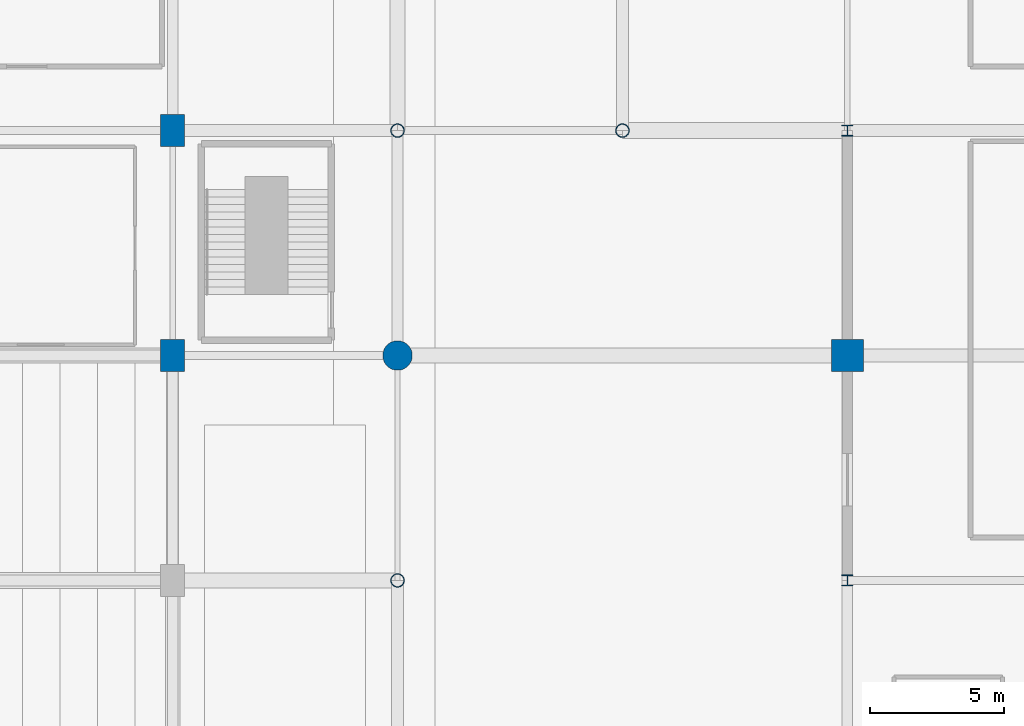
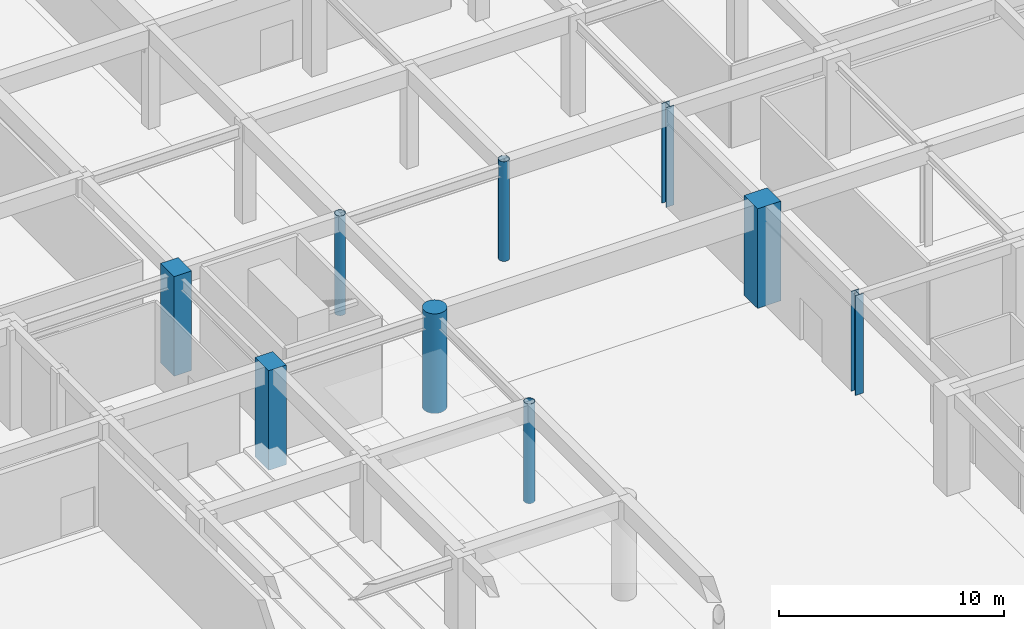
# One storey, part 4 of 62: 9 columns.
"""IFC4 building model written with IfcOpenShell, lengths in metres."""

from ifc_helpers import new_model, si_unit, direction, frame, origin, origin_2d, place, context, subcontext, project, spatial, rectangle, circle, hollow_circle, i_section, extrude, material, material_profile, profile_set, type_object, element, save


model = new_model("IFC4")

# Units and contexts
model_context = context("Model", 3, precision=1e-05, world=origin(), true_north=direction((0.0, 1.0)))
body_context = subcontext(model_context, "Body", "Model", "MODEL_VIEW")
ifc_project = project(units=[si_unit("LENGTHUNIT", "METRE"), si_unit("AREAUNIT", "SQUARE_METRE"), si_unit("VOLUMEUNIT", "CUBIC_METRE"), si_unit("PLANEANGLEUNIT", "RADIAN"), si_unit("MASSUNIT", "GRAM", prefix="KILO")], contexts=[model_context])

# Site, building, storey
site_placement = place(None, origin())
site = spatial("IfcSite", under=ifc_project, at=site_placement, CompositionType="ELEMENT")
building_placement = place(site_placement, origin())
building = spatial("IfcBuilding", under=site, at=building_placement, Name="Xuanlan Plaza Opera House", CompositionType="ELEMENT")
storey_placement = place(building_placement, origin())
storey = spatial("IfcBuildingStorey", under=building, at=storey_placement, Name="L00", CompositionType="ELEMENT", Elevation=0.0)

# Columns
ifc_material_1 = material(Name="Concrete C60", Category="concrete")
ifc_material_profile_1 = material_profile(ifc_material_1, rectangle(XDim=1.199951171875, YDim=1.199951171875, at=origin_2d()), Name="RC-COL 1200x1200")
ifc_profile_set_1 = profile_set([ifc_material_profile_1], Name="Concrete C60")
column_type_1 = type_object("IfcColumnType", Name="STR-COL-C-02", PredefinedType="COLUMN", material=ifc_profile_set_1)
column_1_placement = place(storey_placement, frame((126.0, 75.60009765625, 0.0), z_axis=(0.0, 0.0, 1.0), x_axis=(1.0, 0.0, 0.0)))
element("IfcColumn", 1, at=column_1_placement, inside=storey, type_object=column_type_1, Name="Column L00 16-J", PredefinedType="COLUMN", context=body_context, shape_type="SweptSolid", body=[
    extrude(rectangle(XDim=1.199951171875, YDim=1.199951171875, at=origin_2d()), origin(), (0.0, 0.0, 1.0), 5.39990234375),
])
ifc_material_2 = material(Name="Concrete C50", Category="concrete")
ifc_material_profile_2 = material_profile(ifc_material_2, rectangle(XDim=0.89990234375, YDim=1.199951171875, at=origin_2d()), Name="RC-COL 900x1200")
ifc_profile_set_2 = profile_set([ifc_material_profile_2], Name="Concrete C50")
column_type_2 = type_object("IfcColumnType", Name="STR-COL-C-10", PredefinedType="COLUMN", material=ifc_profile_set_2)
for number, where, z_axis, x_axis, name in (
    (2, (100.800048828125, 75.60009765625, 0.0), (0.0, 0.0, 1.0), (1.0, 0.0, 0.0), "Column L00 13-J"),
    (3, (100.800048828125, 84.0, 0.0), (0.0, 0.0, 1.0), (1.0, 0.0, 0.0), "Column L00 13-K"),
):
    element("IfcColumn", number, at=place(storey_placement, frame(where, z_axis=z_axis, x_axis=x_axis)), inside=storey, type_object=column_type_2, Name=name, PredefinedType="COLUMN", context=body_context, shape_type="SweptSolid", body=[
        extrude(rectangle(XDim=0.89990234375, YDim=1.199951171875, at=origin_2d()), origin(), (0.0, 0.0, 1.0), 5.39990234375),
    ])
ifc_material_profile_3 = material_profile(ifc_material_2, circle(Radius=0.550048828125, at=origin_2d()), Name="RC-COL D1100")
ifc_profile_set_3 = profile_set([ifc_material_profile_3], Name="Concrete C50")
column_type_3 = type_object("IfcColumnType", Name="STR-COL-C-11", PredefinedType="COLUMN", material=ifc_profile_set_3)
column_2_placement = place(storey_placement, frame((109.199951171875, 75.60009765625, 0.0), z_axis=(0.0, 0.0, 1.0), x_axis=(1.0, 0.0, 0.0)))
element("IfcColumn", 4, at=column_2_placement, inside=storey, type_object=column_type_3, Name="Column L00 14-J", PredefinedType="COLUMN", context=body_context, shape_type="SweptSolid", body=[
    extrude(circle(Radius=0.550048828125, at=origin_2d()), origin(), (0.0, 0.0, 1.0), 5.39990234375),
])
ifc_material_3 = material(Name="Steel Q390B", Category="steel")
ifc_material_profile_4 = material_profile(ifc_material_3, i_section(OverallWidth=0.405029296875, OverallDepth=0.4140625, WebThickness=0.01806640625, FlangeThickness=0.028076171875, FilletRadius=0.02197265625, at=origin_2d()), Name="HW 414x405x18x28")
ifc_profile_set_4 = profile_set([ifc_material_profile_4], Name="Steel Q390B")
column_type_4 = type_object("IfcColumnType", Name="STR-COL-C-13", PredefinedType="COLUMN", material=ifc_profile_set_4)
for number, where, z_axis, x_axis, name in (
    (5, (126.0, 67.199951171875, 0.0), (0.0, 0.0, 1.0), (1.0, 0.0, 0.0), "Column L00 16-I"),
    (6, (126.0, 84.0, 0.0), (0.0, 0.0, 1.0), (1.0, 0.0, 0.0), "Column L00 16-K"),
):
    element("IfcColumn", number, at=place(storey_placement, frame(where, z_axis=z_axis, x_axis=x_axis)), inside=storey, type_object=column_type_4, Name=name, PredefinedType="COLUMN", context=body_context, shape_type="SweptSolid", body=[
        extrude(i_section(OverallWidth=0.405029296875, OverallDepth=0.4140625, WebThickness=0.01806640625, FlangeThickness=0.028076171875, FilletRadius=0.02197265625, at=origin_2d()), origin(), (0.0, 0.0, 1.0), 5.39990234375),
    ])
ifc_material_4 = material(Name="Steel Q355B", Category="steel")
ifc_material_profile_5 = material_profile(ifc_material_4, hollow_circle(Radius=0.25390625, WallThickness=0.02001953125, at=origin_2d()), Name="CHS 508x20")
ifc_profile_set_5 = profile_set([ifc_material_profile_5], Name="Steel Q355B")
column_type_5 = type_object("IfcColumnType", Name="STR-COL-C-16", PredefinedType="COLUMN", material=ifc_profile_set_5)
for number, where, z_axis, x_axis, name in (
    (7, (109.199951171875, 67.199951171875, 0.0), (0.0, 0.0, 1.0), (1.0, 0.0, 0.0), "Column L00 14-I"),
    (8, (109.199951171875, 84.0, 0.0), (0.0, 0.0, 1.0), (1.0, 0.0, 0.0), "Column L00 14-K"),
    (9, (117.60009765625, 84.0, 0.0), (0.0, 0.0, 1.0), (1.0, 0.0, 0.0), "Column L00 15-K"),
):
    element("IfcColumn", number, at=place(storey_placement, frame(where, z_axis=z_axis, x_axis=x_axis)), inside=storey, type_object=column_type_5, Name=name, PredefinedType="COLUMN", context=body_context, shape_type="SweptSolid", body=[
        extrude(hollow_circle(Radius=0.25390625, WallThickness=0.02001953125, at=origin_2d()), origin(), (0.0, 0.0, 1.0), 5.39990234375),
    ])

save(model, "model.ifc")
